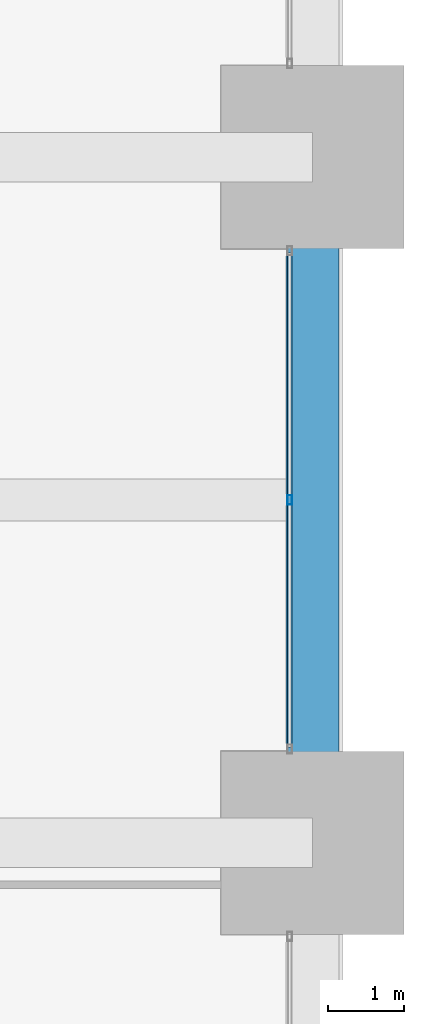
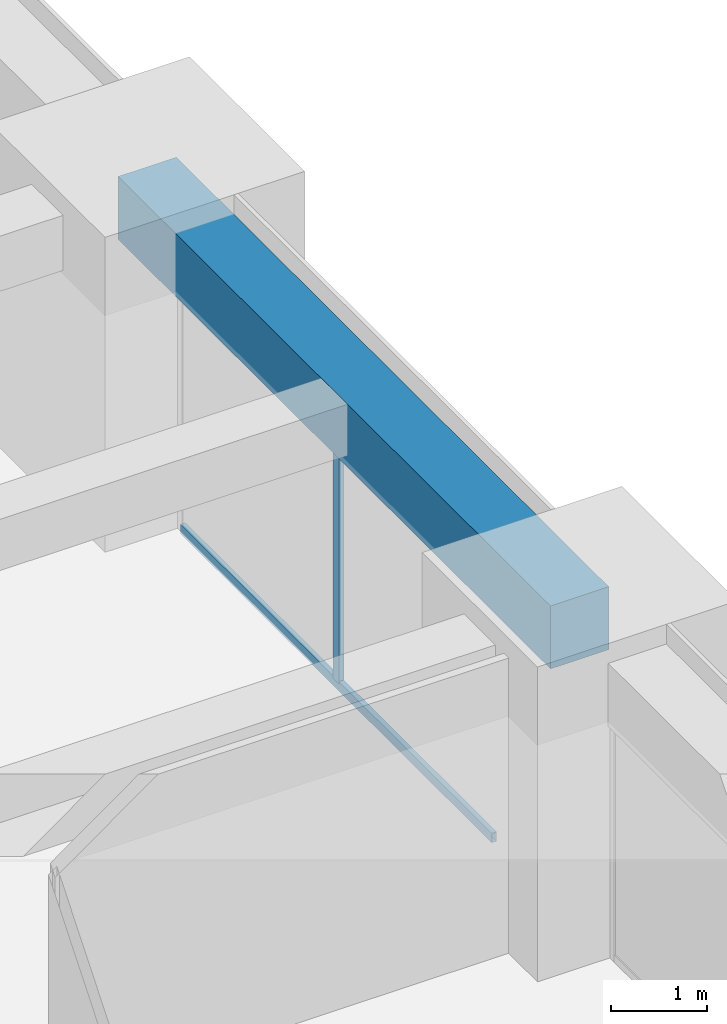
# One storey, part 25 of 45: 2 members, 1 beam, 1 element without a shape of its own.
"""IFC4 building model written with IfcOpenShell, lengths in metres."""

from ifc_helpers import new_model, si_unit, direction, frame, origin, origin_2d, place, context, subcontext, project, spatial, rectangle, hollow_rectangle, extrude, material, material_profile, profile_set, type_object, element, aggregate, save


model = new_model("IFC4")

# Units and contexts
model_context = context("Model", 3, precision=1e-05, world=origin(), true_north=direction((0.0, 1.0)))
body_context = subcontext(model_context, "Body", "Model", "MODEL_VIEW")
ifc_project = project(units=[si_unit("LENGTHUNIT", "METRE"), si_unit("AREAUNIT", "SQUARE_METRE"), si_unit("VOLUMEUNIT", "CUBIC_METRE"), si_unit("PLANEANGLEUNIT", "RADIAN"), si_unit("MASSUNIT", "GRAM", prefix="KILO")], contexts=[model_context])

# Site, building, storey
site_placement = place(None, origin())
site = spatial("IfcSite", under=ifc_project, at=site_placement, CompositionType="ELEMENT")
building_placement = place(site_placement, origin())
building = spatial("IfcBuilding", under=site, at=building_placement, Name="Zorevar Civic Tower", CompositionType="ELEMENT")
storey_placement = place(building_placement, frame((0.0, 0.0, 247.39990234375)))
storey = spatial("IfcBuildingStorey", under=building, at=storey_placement, Name="L60", CompositionType="ELEMENT", Elevation=247.39990234375)

# Curtain wall, members
ifc_material_1 = material(Name="Dark grey solar-control glass in black aluminium frame", Category="aluminium")
curtain_wall_type = type_object("IfcCurtainWallType", Name="Curtain wall CW5 top zone", PredefinedType="NOTDEFINED", material=ifc_material_1)
curtain_wall_placement = place(storey_placement, origin())
curtain_wall = element("IfcCurtainWall", 1, at=curtain_wall_placement, inside=storey, type_object=curtain_wall_type, Name="CW5 L60", PredefinedType="NOTDEFINED")
ifc_material_2 = material(Name="Aluminium, black anodised", Category="aluminium")
ifc_material_profile_1 = material_profile(ifc_material_2, hollow_rectangle(XDim=0.06005859375, YDim=0.1201171875, WallThickness=0.0029296875, at=origin_2d()), Name="AL 120x60x3")
ifc_profile_set_1 = profile_set([ifc_material_profile_1], Name="Aluminium, black anodised")
member_type_1 = type_object("IfcMemberType", Name="CW5 mullion AL 120x60x3", PredefinedType="MULLION", material=ifc_profile_set_1)
member_1_placement = place(storey_placement, frame((53.699951171875, 22.5, 0.06005859375), z_axis=(0.0, 0.0, 1.0), x_axis=(-1.0, 0.0, 0.0)))
member_1 = element("IfcMember", 2, at=member_1_placement, type_object=member_type_1, Name="CW5 mullion 2", PredefinedType="MULLION", context=body_context, shape_type="SweptSolid", body=[
    extrude(hollow_rectangle(XDim=0.06005859375, YDim=0.1201171875, WallThickness=0.0029296875, at=origin_2d()), origin(), (0.0, 0.0, 1.0), 2.89013671875),
])
ifc_material_3 = material(Name="Aluminium, black anodised", Category="aluminium")
ifc_material_profile_2 = material_profile(ifc_material_3, hollow_rectangle(XDim=0.06005859375, YDim=0.1201171875, WallThickness=0.0029296875, at=origin_2d()), Name="AL 120x60x3")
ifc_profile_set_2 = profile_set([ifc_material_profile_2], Name="Aluminium, black anodised")
member_type_2 = type_object("IfcMemberType", Name="CW5 transom AL 120x60x3", PredefinedType="USERDEFINED", material=ifc_profile_set_2)
member_2_placement = place(storey_placement, frame((53.699951171875, 19.260009765625, 0.030029296875), z_axis=(0.0, 1.0, 0.0), x_axis=(-1.0, 0.0, 0.0)))
member_2 = element("IfcMember", 3, at=member_2_placement, type_object=member_type_2, Name="CW5 sill transom", ObjectType="TRANSOM", PredefinedType="USERDEFINED", context=body_context, shape_type="SweptSolid", body=[
    extrude(hollow_rectangle(XDim=0.06005859375, YDim=0.1201171875, WallThickness=0.0029296875, at=origin_2d()), origin(), (0.0, 0.0, 1.0), 6.47998046875),
])
aggregate(curtain_wall, [member_1, member_2])

# Beam
ifc_material_4 = material(Name="Concrete C50/60", Category="concrete")
ifc_material_profile_3 = material_profile(ifc_material_4, rectangle(XDim=0.699951171875, YDim=0.800048828125, at=origin_2d()), Name="RC 700x800")
ifc_profile_set_3 = profile_set([ifc_material_profile_3], Name="Concrete C50/60")
beam_type = type_object("IfcBeamType", Name="Edge beam RC 700x800", PredefinedType="SPANDREL", material=ifc_profile_set_3)
beam_placement = place(storey_placement, frame((54.0, 18.0, 3.35009765625), z_axis=(0.0, 1.0, 0.0), x_axis=(-1.0, 0.0, 0.0)))
element("IfcBeam", 4, at=beam_placement, inside=storey, type_object=beam_type, Name="Edge beam L61", PredefinedType="SPANDREL", context=body_context, shape_type="SweptSolid", body=[
    extrude(rectangle(XDim=0.699951171875, YDim=0.800048828125, at=origin_2d()), origin(), (0.0, 0.0, 1.0), 9.0),
])

save(model, "model.ifc")
